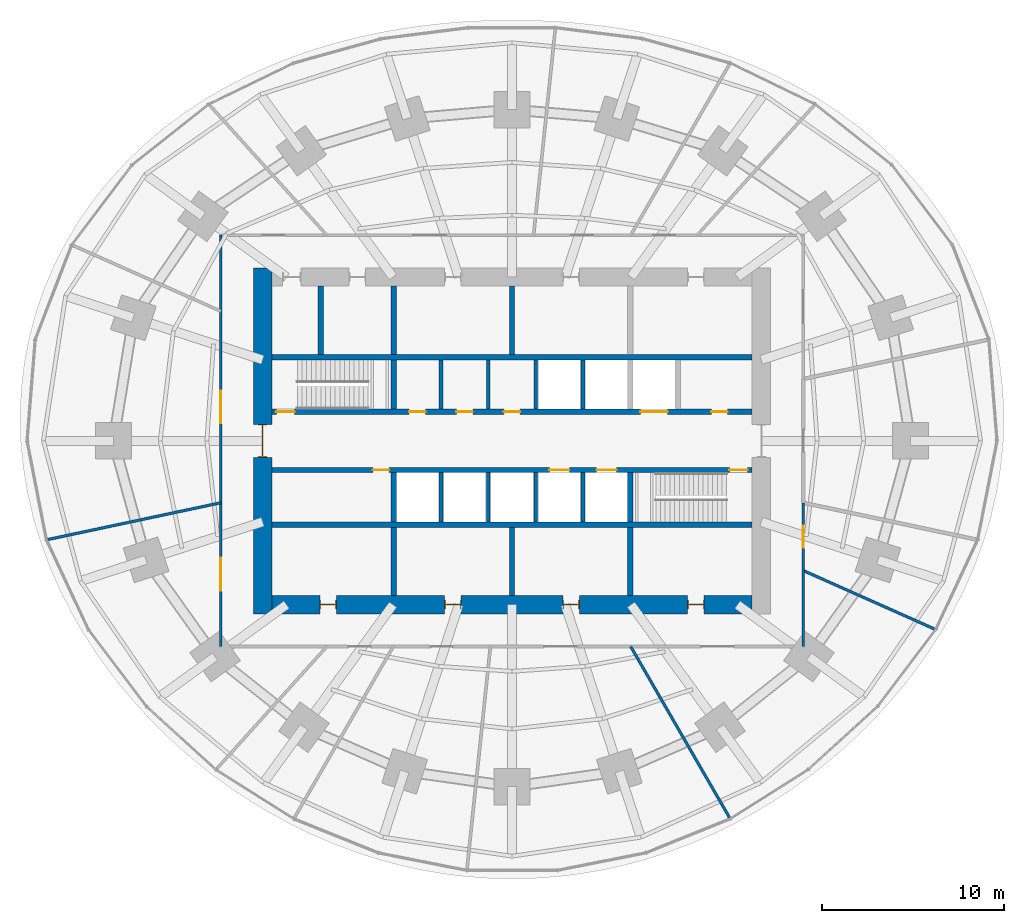
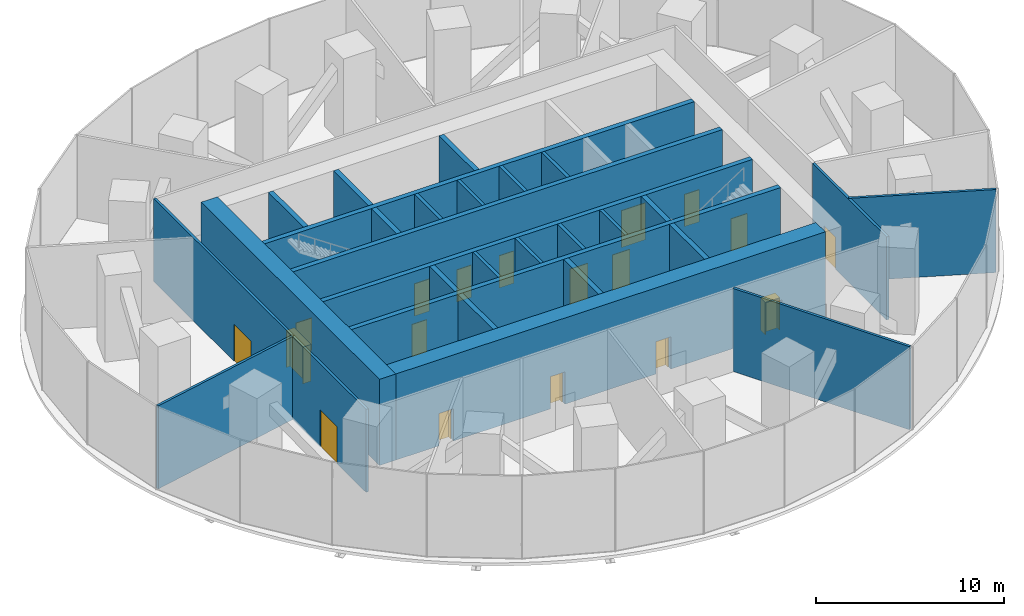
# One storey, part 11 of 13: 28 walls, 18 doors, 18 openings.
"""IFC4 building model written with IfcOpenShell, lengths in metres."""

from ifc_helpers import new_model, si_unit, direction, frame, frame_2d, origin, place, context, subcontext, project, spatial, rectangle, extrude, material, layer, layer_set, type_object, element, fill, save


model = new_model("IFC4")

# Units and contexts
model_context = context("Model", 3, precision=1e-05, world=origin(), true_north=direction((0.0, 1.0)))
body_context = subcontext(model_context, "Body", "Model", "MODEL_VIEW")
ifc_project = project(units=[si_unit("LENGTHUNIT", "METRE"), si_unit("AREAUNIT", "SQUARE_METRE"), si_unit("VOLUMEUNIT", "CUBIC_METRE"), si_unit("PLANEANGLEUNIT", "RADIAN"), si_unit("MASSUNIT", "GRAM", prefix="KILO")], contexts=[model_context])

# Site, building, storey
site_placement = place(None, origin())
site = spatial("IfcSite", under=ifc_project, at=site_placement, CompositionType="ELEMENT")
building_placement = place(site_placement, origin())
building = spatial("IfcBuilding", under=site, at=building_placement, Name="Marramba Exchange Tower", CompositionType="ELEMENT")
storey_placement = place(building_placement, frame((0.0, 0.0, 86.800048828125)))
storey = spatial("IfcBuildingStorey", under=building, at=storey_placement, Name="L20", CompositionType="ELEMENT", Elevation=86.800048828125)

# Walls
ifc_material_1 = material(Name="Concrete N50", Category="concrete")
ifc_layer_1 = layer(ifc_material_1, 0.199951171875)
ifc_layer_set_1 = layer_set([ifc_layer_1], Name="Core shaft wall 200")
wall_type_1 = type_object("IfcWallType", Name="Core shaft wall 200", PredefinedType="SHEAR", material=ifc_layer_set_1)
for number, where, z_axis, x_axis, name in (
    (1, (-3.89990234375, 1.75, 0.0), (0.0, 0.0, 1.0), (0.0, 1.0, 0.0), "Core wall SHN1 L20"),
    (2, (-1.300048828125, 1.75, 0.0), (0.0, 0.0, 1.0), (0.0, 1.0, 0.0), "Core wall SHN2 L20"),
    (3, (1.300048828125, 1.75, 0.0), (0.0, 0.0, 1.0), (0.0, 1.0, 0.0), "Core wall SHN3 L20"),
    (4, (3.89990234375, 1.75, 0.0), (0.0, 0.0, 1.0), (0.0, 1.0, 0.0), "Core wall SHN4 L20"),
    (5, (-3.89990234375, -1.75, 0.0), (0.0, 0.0, 1.0), (0.0, -1.0, 0.0), "Core wall SHS1 L20"),
    (6, (-1.300048828125, -1.75, 0.0), (0.0, 0.0, 1.0), (0.0, -1.0, 0.0), "Core wall SHS2 L20"),
    (7, (1.300048828125, -1.75, 0.0), (0.0, 0.0, 1.0), (0.0, -1.0, 0.0), "Core wall SHS3 L20"),
    (8, (3.89990234375, -1.75, 0.0), (0.0, 0.0, 1.0), (0.0, -1.0, 0.0), "Core wall SHS4 L20"),
):
    element("IfcWall", number, at=place(storey_placement, frame(where, z_axis=z_axis, x_axis=x_axis)), inside=storey, type_object=wall_type_1, Name=name, PredefinedType="SHEAR", context=body_context, shape_type="SweptSolid", body=[
        extrude(rectangle(XDim=2.699951171875, YDim=0.199951171875, at=frame_2d((1.35009765625, 0.0))), origin(), (0.0, 0.0, 1.0), 5.599853515625),
    ])

# Wall, openings, doors
ifc_layer_2 = layer(ifc_material_1, 1.0)
ifc_layer_set_2 = layer_set([ifc_layer_2], Name="Core wall 1000")
wall_type_2 = type_object("IfcWallType", Name="Core wall 1000", PredefinedType="SHEAR", material=ifc_layer_set_2)
wall_1_placement = place(storey_placement, frame((-13.199951171875, -9.0, 0.0), z_axis=(0.0, 0.0, 1.0), x_axis=(1.0, 0.0, 0.0)))
wall_1 = element("IfcWall", 9, at=wall_1_placement, inside=storey, type_object=wall_type_2, Name="Core wall S L20", PredefinedType="SHEAR", context=body_context, shape_type="SweptSolid", body=[
    extrude(rectangle(XDim=26.39990234375, YDim=1.0, at=frame_2d((13.199951171875, 0.0))), origin(), (0.0, 0.0, 1.0), 5.599853515625),
])
opening_1_placement = place(wall_1_placement, frame((2.64990234375, 0.0, 0.0)))
opening_1 = element("IfcOpeningElement", 10, at=opening_1_placement, cuts=wall_1, Name="Opening D5", PredefinedType="OPENING", context=body_context, shape_type="SweptSolid", body=[
    extrude(rectangle(XDim=0.89990234375, YDim=2.10009765625, at=frame_2d((0.449951171875, 1.050048828125))), frame((0.0, 0.510009765625, 0.0), z_axis=(0.0, -1.0, 0.0), x_axis=(1.0, 0.0, 0.0)), (0.0, 0.0, 1.0), 1.02001953125),
])
opening_2_placement = place(wall_1_placement, frame((9.5, 0.0, 0.0)))
opening_2 = element("IfcOpeningElement", 11, at=opening_2_placement, cuts=wall_1, Name="Opening D5", PredefinedType="OPENING", context=body_context, shape_type="SweptSolid", body=[
    extrude(rectangle(XDim=0.89990234375, YDim=2.10009765625, at=frame_2d((0.449951171875, 1.050048828125))), frame((0.0, 0.510009765625, 0.0), z_axis=(0.0, -1.0, 0.0), x_axis=(1.0, 0.0, 0.0)), (0.0, 0.0, 1.0), 1.02001953125),
])
opening_3_placement = place(wall_1_placement, frame((16.0, 0.0, 0.0)))
opening_3 = element("IfcOpeningElement", 12, at=opening_3_placement, cuts=wall_1, Name="Opening D5", PredefinedType="OPENING", context=body_context, shape_type="SweptSolid", body=[
    extrude(rectangle(XDim=0.89990234375, YDim=2.10009765625, at=frame_2d((0.449951171875, 1.050048828125))), frame((0.0, 0.510009765625, 0.0), z_axis=(0.0, -1.0, 0.0), x_axis=(1.0, 0.0, 0.0)), (0.0, 0.0, 1.0), 1.02001953125),
])
opening_4_placement = place(wall_1_placement, frame((22.85009765625, 0.0, 0.0)))
opening_4 = element("IfcOpeningElement", 13, at=opening_4_placement, cuts=wall_1, Name="Opening D5", PredefinedType="OPENING", context=body_context, shape_type="SweptSolid", body=[
    extrude(rectangle(XDim=0.89990234375, YDim=2.10009765625, at=frame_2d((0.449951171875, 1.050048828125))), frame((0.0, 0.510009765625, 0.0), z_axis=(0.0, -1.0, 0.0), x_axis=(1.0, 0.0, 0.0)), (0.0, 0.0, 1.0), 1.02001953125),
])
ifc_material_2 = material(Name="Steel-framed door", Category="steel")
door_type_1 = type_object("IfcDoorType", Name="Service door 900x2100", OperationType="SINGLE_SWING_LEFT", PredefinedType="DOOR", material=ifc_material_2)
door_1_placement = place(opening_1_placement, origin())
door_1 = element("IfcDoor", 14, at=door_1_placement, inside=storey, type_object=door_type_1, Name="D5 ahu L20", OperationType="SINGLE_SWING_LEFT", OverallHeight=2.10009765625, OverallWidth=0.89990234375, PredefinedType="DOOR", context=body_context, shape_type="SweptSolid", body=[
    extrude(rectangle(XDim=0.81982421875, YDim=2.06005859375, at=frame_2d((0.449951171875, 1.030029296875))), frame((0.0, 0.02490234375, 0.0), z_axis=(0.0, -1.0, 0.0), x_axis=(1.0, 0.0, 0.0)), (0.0, 0.0, 1.0), 0.050048828125),
    extrude(rectangle(XDim=0.04, YDim=2.10009765625, at=frame_2d((0.02001953125, 1.050048828125))), frame((0.0, 0.25, 0.0), z_axis=(0.0, -1.0, 0.0), x_axis=(1.0, 0.0, 0.0)), (0.0, 0.0, 1.0), 0.5),
    extrude(rectangle(XDim=0.04, YDim=2.10009765625, at=frame_2d((0.8798828125, 1.050048828125))), frame((0.0, 0.25, 0.0), z_axis=(0.0, -1.0, 0.0), x_axis=(1.0, 0.0, 0.0)), (0.0, 0.0, 1.0), 0.5),
    extrude(rectangle(XDim=0.81982421875, YDim=0.04, at=frame_2d((0.449951171875, 2.080078125))), frame((0.0, 0.25, 0.0), z_axis=(0.0, -1.0, 0.0), x_axis=(1.0, 0.0, 0.0)), (0.0, 0.0, 1.0), 0.5),
])
fill(opening_1, door_1)
door_2_placement = place(opening_2_placement, origin())
door_2 = element("IfcDoor", 15, at=door_2_placement, inside=storey, type_object=door_type_1, Name="D5 store L20", OperationType="SINGLE_SWING_RIGHT", OverallHeight=2.10009765625, OverallWidth=0.89990234375, PredefinedType="DOOR", context=body_context, shape_type="SweptSolid", body=[
    extrude(rectangle(XDim=0.81982421875, YDim=2.06005859375, at=frame_2d((0.449951171875, 1.030029296875))), frame((0.0, 0.02490234375, 0.0), z_axis=(0.0, -1.0, 0.0), x_axis=(1.0, 0.0, 0.0)), (0.0, 0.0, 1.0), 0.050048828125),
    extrude(rectangle(XDim=0.04, YDim=2.10009765625, at=frame_2d((0.02001953125, 1.050048828125))), frame((0.0, 0.25, 0.0), z_axis=(0.0, -1.0, 0.0), x_axis=(1.0, 0.0, 0.0)), (0.0, 0.0, 1.0), 0.5),
    extrude(rectangle(XDim=0.04, YDim=2.10009765625, at=frame_2d((0.8798828125, 1.050048828125))), frame((0.0, 0.25, 0.0), z_axis=(0.0, -1.0, 0.0), x_axis=(1.0, 0.0, 0.0)), (0.0, 0.0, 1.0), 0.5),
    extrude(rectangle(XDim=0.81982421875, YDim=0.04, at=frame_2d((0.449951171875, 2.080078125))), frame((0.0, 0.25, 0.0), z_axis=(0.0, -1.0, 0.0), x_axis=(1.0, 0.0, 0.0)), (0.0, 0.0, 1.0), 0.5),
])
fill(opening_2, door_2)
door_3_placement = place(opening_3_placement, origin())
door_3 = element("IfcDoor", 16, at=door_3_placement, inside=storey, type_object=door_type_1, Name="D5 switch L20", OperationType="SINGLE_SWING_RIGHT", OverallHeight=2.10009765625, OverallWidth=0.89990234375, PredefinedType="DOOR", context=body_context, shape_type="SweptSolid", body=[
    extrude(rectangle(XDim=0.81982421875, YDim=2.06005859375, at=frame_2d((0.449951171875, 1.030029296875))), frame((0.0, 0.02490234375, 0.0), z_axis=(0.0, -1.0, 0.0), x_axis=(1.0, 0.0, 0.0)), (0.0, 0.0, 1.0), 0.050048828125),
    extrude(rectangle(XDim=0.04, YDim=2.10009765625, at=frame_2d((0.02001953125, 1.050048828125))), frame((0.0, 0.25, 0.0), z_axis=(0.0, -1.0, 0.0), x_axis=(1.0, 0.0, 0.0)), (0.0, 0.0, 1.0), 0.5),
    extrude(rectangle(XDim=0.04, YDim=2.10009765625, at=frame_2d((0.8798828125, 1.050048828125))), frame((0.0, 0.25, 0.0), z_axis=(0.0, -1.0, 0.0), x_axis=(1.0, 0.0, 0.0)), (0.0, 0.0, 1.0), 0.5),
    extrude(rectangle(XDim=0.81982421875, YDim=0.04, at=frame_2d((0.449951171875, 2.080078125))), frame((0.0, 0.25, 0.0), z_axis=(0.0, -1.0, 0.0), x_axis=(1.0, 0.0, 0.0)), (0.0, 0.0, 1.0), 0.5),
])
fill(opening_3, door_3)
door_4_placement = place(opening_4_placement, origin())
door_4 = element("IfcDoor", 17, at=door_4_placement, inside=storey, type_object=door_type_1, Name="D5 cstore L20", OperationType="SINGLE_SWING_RIGHT", OverallHeight=2.10009765625, OverallWidth=0.89990234375, PredefinedType="DOOR", context=body_context, shape_type="SweptSolid", body=[
    extrude(rectangle(XDim=0.81982421875, YDim=2.06005859375, at=frame_2d((0.449951171875, 1.030029296875))), frame((0.0, 0.02490234375, 0.0), z_axis=(0.0, -1.0, 0.0), x_axis=(1.0, 0.0, 0.0)), (0.0, 0.0, 1.0), 0.050048828125),
    extrude(rectangle(XDim=0.04, YDim=2.10009765625, at=frame_2d((0.02001953125, 1.050048828125))), frame((0.0, 0.25, 0.0), z_axis=(0.0, -1.0, 0.0), x_axis=(1.0, 0.0, 0.0)), (0.0, 0.0, 1.0), 0.5),
    extrude(rectangle(XDim=0.04, YDim=2.10009765625, at=frame_2d((0.8798828125, 1.050048828125))), frame((0.0, 0.25, 0.0), z_axis=(0.0, -1.0, 0.0), x_axis=(1.0, 0.0, 0.0)), (0.0, 0.0, 1.0), 0.5),
    extrude(rectangle(XDim=0.81982421875, YDim=0.04, at=frame_2d((0.449951171875, 2.080078125))), frame((0.0, 0.25, 0.0), z_axis=(0.0, -1.0, 0.0), x_axis=(1.0, 0.0, 0.0)), (0.0, 0.0, 1.0), 0.5),
])
fill(opening_4, door_4)

# Wall, opening, door
wall_2_placement = place(storey_placement, frame((-13.699951171875, 9.5, 0.0), z_axis=(0.0, 0.0, 1.0), x_axis=(0.0, -1.0, 0.0)))
wall_2 = element("IfcWall", 18, at=wall_2_placement, inside=storey, type_object=wall_type_2, Name="Core wall W L20", PredefinedType="SHEAR", context=body_context, shape_type="SweptSolid", body=[
    extrude(rectangle(XDim=19.0, YDim=1.0, at=frame_2d((9.5, 0.0))), origin(), (0.0, 0.0, 1.0), 5.599853515625),
])
opening_5_placement = place(wall_2_placement, frame((8.60009765625, 0.0, 0.0)))
opening_5 = element("IfcOpeningElement", 19, at=opening_5_placement, cuts=wall_2, Name="Opening D1", PredefinedType="OPENING", context=body_context, shape_type="SweptSolid", body=[
    extrude(rectangle(XDim=1.800048828125, YDim=2.39990234375, at=frame_2d((0.89990234375, 1.199951171875))), frame((0.0, 0.510009765625, 0.0), z_axis=(0.0, -1.0, 0.0), x_axis=(1.0, 0.0, 0.0)), (0.0, 0.0, 1.0), 1.02001953125),
])
door_type_2 = type_object("IfcDoorType", Name="Lobby exit door 1800x2400", OperationType="DOUBLE_DOOR_SINGLE_SWING", PredefinedType="DOOR", material=ifc_material_2)
door_5_placement = place(opening_5_placement, origin())
door_5 = element("IfcDoor", 20, at=door_5_placement, inside=storey, type_object=door_type_2, Name="D1 lobby exit west L20", OperationType="DOUBLE_DOOR_SINGLE_SWING", OverallHeight=2.39990234375, OverallWidth=1.800048828125, PredefinedType="DOOR", context=body_context, shape_type="SweptSolid", body=[
    extrude(rectangle(XDim=1.719970703125, YDim=2.35986328125, at=frame_2d((0.89990234375, 1.179931640625))), frame((0.0, 0.02490234375, 0.0), z_axis=(0.0, -1.0, 0.0), x_axis=(1.0, 0.0, 0.0)), (0.0, 0.0, 1.0), 0.050048828125),
    extrude(rectangle(XDim=0.04, YDim=2.39990234375, at=frame_2d((0.02001953125, 1.199951171875))), frame((0.0, 0.25, 0.0), z_axis=(0.0, -1.0, 0.0), x_axis=(1.0, 0.0, 0.0)), (0.0, 0.0, 1.0), 0.5),
    extrude(rectangle(XDim=0.04, YDim=2.39990234375, at=frame_2d((1.780029296875, 1.199951171875))), frame((0.0, 0.25, 0.0), z_axis=(0.0, -1.0, 0.0), x_axis=(1.0, 0.0, 0.0)), (0.0, 0.0, 1.0), 0.5),
    extrude(rectangle(XDim=1.719970703125, YDim=0.04, at=frame_2d((0.89990234375, 2.3798828125))), frame((0.0, 0.25, 0.0), z_axis=(0.0, -1.0, 0.0), x_axis=(1.0, 0.0, 0.0)), (0.0, 0.0, 1.0), 0.5),
])
fill(opening_5, door_5)

# Wall, openings, doors
ifc_layer_3 = layer(ifc_material_1, 0.300048828125)
ifc_layer_set_3 = layer_set([ifc_layer_3], Name="Core wall 300")
wall_type_3 = type_object("IfcWallType", Name="Core wall 300", PredefinedType="SHEAR", material=ifc_layer_set_3)
wall_3_placement = place(storey_placement, frame((-13.199951171875, 1.60009765625, 0.0), z_axis=(0.0, 0.0, 1.0), x_axis=(1.0, 0.0, 0.0)))
wall_3 = element("IfcWall", 21, at=wall_3_placement, inside=storey, type_object=wall_type_3, Name="Core wall LN L20", PredefinedType="SHEAR", context=body_context, shape_type="SweptSolid", body=[
    extrude(rectangle(XDim=26.39990234375, YDim=0.300048828125, at=frame_2d((13.199951171875, 0.0))), origin(), (0.0, 0.0, 1.0), 5.599853515625),
])
opening_6_placement = place(wall_3_placement, frame((0.25, 0.0, 0.0)))
opening_6 = element("IfcOpeningElement", 22, at=opening_6_placement, cuts=wall_3, Name="Opening D2", PredefinedType="OPENING", context=body_context, shape_type="SweptSolid", body=[
    extrude(rectangle(XDim=1.0, YDim=2.10009765625, at=frame_2d((0.5, 1.050048828125))), frame((0.0, 0.159912109375, 0.0), z_axis=(0.0, -1.0, 0.0), x_axis=(1.0, 0.0, 0.0)), (0.0, 0.0, 1.0), 0.320068359375),
])
opening_7_placement = place(wall_3_placement, frame((20.25, 0.0, 0.0)))
opening_7 = element("IfcOpeningElement", 23, at=opening_7_placement, cuts=wall_3, Name="Opening LD3", PredefinedType="OPENING", context=body_context, shape_type="SweptSolid", body=[
    extrude(rectangle(XDim=1.5, YDim=2.39990234375, at=frame_2d((0.75, 1.199951171875))), frame((0.0, 0.159912109375, 0.0), z_axis=(0.0, -1.0, 0.0), x_axis=(1.0, 0.0, 0.0)), (0.0, 0.0, 1.0), 0.320068359375),
])
opening_8_placement = place(wall_3_placement, frame((7.550048828125, 0.0, 0.0)))
opening_8 = element("IfcOpeningElement", 24, at=opening_8_placement, cuts=wall_3, Name="Opening D5", PredefinedType="OPENING", context=body_context, shape_type="SweptSolid", body=[
    extrude(rectangle(XDim=0.89990234375, YDim=2.10009765625, at=frame_2d((0.449951171875, 1.050048828125))), frame((0.0, 0.159912109375, 0.0), z_axis=(0.0, -1.0, 0.0), x_axis=(1.0, 0.0, 0.0)), (0.0, 0.0, 1.0), 0.320068359375),
])
opening_9_placement = place(wall_3_placement, frame((10.14990234375, 0.0, 0.0)))
opening_9 = element("IfcOpeningElement", 25, at=opening_9_placement, cuts=wall_3, Name="Opening D5", PredefinedType="OPENING", context=body_context, shape_type="SweptSolid", body=[
    extrude(rectangle(XDim=0.89990234375, YDim=2.10009765625, at=frame_2d((0.449951171875, 1.050048828125))), frame((0.0, 0.159912109375, 0.0), z_axis=(0.0, -1.0, 0.0), x_axis=(1.0, 0.0, 0.0)), (0.0, 0.0, 1.0), 0.320068359375),
])
opening_10_placement = place(wall_3_placement, frame((12.75, 0.0, 0.0)))
opening_10 = element("IfcOpeningElement", 26, at=opening_10_placement, cuts=wall_3, Name="Opening D5", PredefinedType="OPENING", context=body_context, shape_type="SweptSolid", body=[
    extrude(rectangle(XDim=0.89990234375, YDim=2.10009765625, at=frame_2d((0.449951171875, 1.050048828125))), frame((0.0, 0.159912109375, 0.0), z_axis=(0.0, -1.0, 0.0), x_axis=(1.0, 0.0, 0.0)), (0.0, 0.0, 1.0), 0.320068359375),
])
opening_11_placement = place(wall_3_placement, frame((24.14990234375, 0.0, 0.0)))
opening_11 = element("IfcOpeningElement", 27, at=opening_11_placement, cuts=wall_3, Name="Opening D5", PredefinedType="OPENING", context=body_context, shape_type="SweptSolid", body=[
    extrude(rectangle(XDim=0.89990234375, YDim=2.10009765625, at=frame_2d((0.449951171875, 1.050048828125))), frame((0.0, 0.159912109375, 0.0), z_axis=(0.0, -1.0, 0.0), x_axis=(1.0, 0.0, 0.0)), (0.0, 0.0, 1.0), 0.320068359375),
])
door_type_3 = type_object("IfcDoorType", Name="Goods lift landing door 1500x2400", OperationType="SLIDING_TO_LEFT", PredefinedType="DOOR", material=ifc_material_2)
door_6_placement = place(opening_7_placement, origin())
door_6 = element("IfcDoor", 28, at=door_6_placement, inside=storey, type_object=door_type_3, Name="GL1 landing door L20", OperationType="SLIDING_TO_LEFT", OverallHeight=2.39990234375, OverallWidth=1.5, PredefinedType="DOOR", context=body_context, shape_type="SweptSolid", body=[
    extrude(rectangle(XDim=1.5, YDim=2.39990234375, at=frame_2d((0.75, 1.199951171875))), frame((0.0, 0.02490234375, 0.0), z_axis=(0.0, -1.0, 0.0), x_axis=(1.0, 0.0, 0.0)), (0.0, 0.0, 1.0), 0.050048828125),
])
fill(opening_7, door_6)
door_7_placement = place(opening_8_placement, origin())
door_7 = element("IfcDoor", 29, at=door_7_placement, inside=storey, type_object=door_type_1, Name="D5 store n1 L20", OperationType="SINGLE_SWING_RIGHT", OverallHeight=2.10009765625, OverallWidth=0.89990234375, PredefinedType="DOOR", context=body_context, shape_type="SweptSolid", body=[
    extrude(rectangle(XDim=0.89990234375, YDim=2.10009765625, at=frame_2d((0.449951171875, 1.050048828125))), frame((0.0, 0.02490234375, 0.0), z_axis=(0.0, -1.0, 0.0), x_axis=(1.0, 0.0, 0.0)), (0.0, 0.0, 1.0), 0.050048828125),
])
fill(opening_8, door_7)
door_8_placement = place(opening_9_placement, origin())
door_8 = element("IfcDoor", 30, at=door_8_placement, inside=storey, type_object=door_type_1, Name="D5 store n2 L20", OperationType="SINGLE_SWING_RIGHT", OverallHeight=2.10009765625, OverallWidth=0.89990234375, PredefinedType="DOOR", context=body_context, shape_type="SweptSolid", body=[
    extrude(rectangle(XDim=0.89990234375, YDim=2.10009765625, at=frame_2d((0.449951171875, 1.050048828125))), frame((0.0, 0.02490234375, 0.0), z_axis=(0.0, -1.0, 0.0), x_axis=(1.0, 0.0, 0.0)), (0.0, 0.0, 1.0), 0.050048828125),
])
fill(opening_9, door_8)
door_9_placement = place(opening_10_placement, origin())
door_9 = element("IfcDoor", 31, at=door_9_placement, inside=storey, type_object=door_type_1, Name="D5 store n3 L20", OperationType="SINGLE_SWING_RIGHT", OverallHeight=2.10009765625, OverallWidth=0.89990234375, PredefinedType="DOOR", context=body_context, shape_type="SweptSolid", body=[
    extrude(rectangle(XDim=0.89990234375, YDim=2.10009765625, at=frame_2d((0.449951171875, 1.050048828125))), frame((0.0, 0.02490234375, 0.0), z_axis=(0.0, -1.0, 0.0), x_axis=(1.0, 0.0, 0.0)), (0.0, 0.0, 1.0), 0.050048828125),
])
fill(opening_10, door_9)
door_10_placement = place(opening_11_placement, origin())
door_10 = element("IfcDoor", 32, at=door_10_placement, inside=storey, type_object=door_type_1, Name="D5 riser L20", OperationType="SINGLE_SWING_RIGHT", OverallHeight=2.10009765625, OverallWidth=0.89990234375, PredefinedType="DOOR", context=body_context, shape_type="SweptSolid", body=[
    extrude(rectangle(XDim=0.89990234375, YDim=2.10009765625, at=frame_2d((0.449951171875, 1.050048828125))), frame((0.0, 0.02490234375, 0.0), z_axis=(0.0, -1.0, 0.0), x_axis=(1.0, 0.0, 0.0)), (0.0, 0.0, 1.0), 0.050048828125),
])
fill(opening_11, door_10)
door_type_4 = type_object("IfcDoorType", Name="Stair door 1000x2100", OperationType="SINGLE_SWING_LEFT", PredefinedType="DOOR", material=ifc_material_2)
door_11_placement = place(opening_6_placement, origin())
door_11 = element("IfcDoor", 33, at=door_11_placement, inside=storey, type_object=door_type_4, Name="D2 stair ST1 L20", OperationType="SINGLE_SWING_LEFT", OverallHeight=2.10009765625, OverallWidth=1.0, PredefinedType="DOOR", context=body_context, shape_type="SweptSolid", body=[
    extrude(rectangle(XDim=1.0, YDim=2.10009765625, at=frame_2d((0.5, 1.050048828125))), frame((0.0, 0.02490234375, 0.0), z_axis=(0.0, -1.0, 0.0), x_axis=(1.0, 0.0, 0.0)), (0.0, 0.0, 1.0), 0.050048828125),
])
fill(opening_6, door_11)

wall_4_placement = place(storey_placement, frame((-13.199951171875, -1.60009765625, 0.0), z_axis=(0.0, 0.0, 1.0), x_axis=(1.0, 0.0, 0.0)))
wall_4 = element("IfcWall", 34, at=wall_4_placement, inside=storey, type_object=wall_type_3, Name="Core wall LS L20", PredefinedType="SHEAR", context=body_context, shape_type="SweptSolid", body=[
    extrude(rectangle(XDim=26.39990234375, YDim=0.300048828125, at=frame_2d((13.199951171875, 0.0))), origin(), (0.0, 0.0, 1.0), 5.599853515625),
])
opening_12_placement = place(wall_4_placement, frame((25.14990234375, 0.0, 0.0)))
opening_12 = element("IfcOpeningElement", 35, at=opening_12_placement, cuts=wall_4, Name="Opening D2", PredefinedType="OPENING", context=body_context, shape_type="SweptSolid", body=[
    extrude(rectangle(XDim=1.0, YDim=2.10009765625, at=frame_2d((0.5, 1.050048828125))), frame((0.0, 0.159912109375, 0.0), z_axis=(0.0, -1.0, 0.0), x_axis=(1.0, 0.0, 0.0)), (0.0, 0.0, 1.0), 0.320068359375),
])
opening_13_placement = place(wall_4_placement, frame((15.25, 0.0, 0.0)))
opening_13 = element("IfcOpeningElement", 36, at=opening_13_placement, cuts=wall_4, Name="Opening LD2", PredefinedType="OPENING", context=body_context, shape_type="SweptSolid", body=[
    extrude(rectangle(XDim=1.10009765625, YDim=2.300048828125, at=frame_2d((0.550048828125, 1.14990234375))), frame((0.0, 0.159912109375, 0.0), z_axis=(0.0, -1.0, 0.0), x_axis=(1.0, 0.0, 0.0)), (0.0, 0.0, 1.0), 0.320068359375),
])
opening_14_placement = place(wall_4_placement, frame((17.85009765625, 0.0, 0.0)))
opening_14 = element("IfcOpeningElement", 37, at=opening_14_placement, cuts=wall_4, Name="Opening LD2", PredefinedType="OPENING", context=body_context, shape_type="SweptSolid", body=[
    extrude(rectangle(XDim=1.10009765625, YDim=2.300048828125, at=frame_2d((0.550048828125, 1.14990234375))), frame((0.0, 0.159912109375, 0.0), z_axis=(0.0, -1.0, 0.0), x_axis=(1.0, 0.0, 0.0)), (0.0, 0.0, 1.0), 0.320068359375),
])
opening_15_placement = place(wall_4_placement, frame((5.550048828125, 0.0, 0.0)))
opening_15 = element("IfcOpeningElement", 38, at=opening_15_placement, cuts=wall_4, Name="Opening D5", PredefinedType="OPENING", context=body_context, shape_type="SweptSolid", body=[
    extrude(rectangle(XDim=0.89990234375, YDim=2.10009765625, at=frame_2d((0.449951171875, 1.050048828125))), frame((0.0, 0.159912109375, 0.0), z_axis=(0.0, -1.0, 0.0), x_axis=(1.0, 0.0, 0.0)), (0.0, 0.0, 1.0), 0.320068359375),
])
door_type_5 = type_object("IfcDoorType", Name="Emergency lift landing door 1100x2300", OperationType="SLIDING_TO_LEFT", PredefinedType="DOOR", material=ifc_material_2)
door_12_placement = place(opening_13_placement, frame((1.10009765625, 0.0, 0.0), z_axis=(0.0, 0.0, 1.0), x_axis=(-1.0, 0.0, 0.0)))
door_12 = element("IfcDoor", 39, at=door_12_placement, inside=storey, type_object=door_type_5, Name="FL1 landing door L20", OperationType="SLIDING_TO_RIGHT", OverallHeight=2.300048828125, OverallWidth=1.10009765625, PredefinedType="DOOR", context=body_context, shape_type="SweptSolid", body=[
    extrude(rectangle(XDim=1.10009765625, YDim=2.300048828125, at=frame_2d((0.550048828125, 1.14990234375))), frame((0.0, 0.025146484375, 0.0), z_axis=(0.0, -1.0, 0.0), x_axis=(1.0, 0.0, 0.0)), (0.0, 0.0, 1.0), 0.050048828125),
])
fill(opening_13, door_12)
door_13_placement = place(opening_14_placement, frame((1.10009765625, 0.0, 0.0), z_axis=(0.0, 0.0, 1.0), x_axis=(-1.0, 0.0, 0.0)))
door_13 = element("IfcDoor", 40, at=door_13_placement, inside=storey, type_object=door_type_5, Name="FL2 landing door L20", OperationType="SLIDING_TO_LEFT", OverallHeight=2.300048828125, OverallWidth=1.10009765625, PredefinedType="DOOR", context=body_context, shape_type="SweptSolid", body=[
    extrude(rectangle(XDim=1.10009765625, YDim=2.300048828125, at=frame_2d((0.550048828125, 1.14990234375))), frame((0.0, 0.025146484375, 0.0), z_axis=(0.0, -1.0, 0.0), x_axis=(1.0, 0.0, 0.0)), (0.0, 0.0, 1.0), 0.050048828125),
])
fill(opening_14, door_13)
door_14_placement = place(opening_15_placement, frame((0.89990234375, 0.0, 0.0), z_axis=(0.0, 0.0, 1.0), x_axis=(-1.0, 0.0, 0.0)))
door_14 = element("IfcDoor", 41, at=door_14_placement, inside=storey, type_object=door_type_1, Name="D5 electrical riser L20", OperationType="SINGLE_SWING_LEFT", OverallHeight=2.10009765625, OverallWidth=0.89990234375, PredefinedType="DOOR", context=body_context, shape_type="SweptSolid", body=[
    extrude(rectangle(XDim=0.89990234375, YDim=2.10009765625, at=frame_2d((0.449951171875, 1.050048828125))), frame((0.0, 0.025146484375, 0.0), z_axis=(0.0, -1.0, 0.0), x_axis=(1.0, 0.0, 0.0)), (0.0, 0.0, 1.0), 0.050048828125),
])
fill(opening_15, door_14)
door_15_placement = place(opening_12_placement, frame((1.0, 0.0, 0.0), z_axis=(0.0, 0.0, 1.0), x_axis=(-1.0, 0.0, 0.0)))
door_15 = element("IfcDoor", 42, at=door_15_placement, inside=storey, type_object=door_type_4, Name="D2 stair ST2 L20", OperationType="SINGLE_SWING_LEFT", OverallHeight=2.10009765625, OverallWidth=1.0, PredefinedType="DOOR", context=body_context, shape_type="SweptSolid", body=[
    extrude(rectangle(XDim=1.0, YDim=2.10009765625, at=frame_2d((0.5, 1.050048828125))), frame((0.0, 0.025146484375, 0.0), z_axis=(0.0, -1.0, 0.0), x_axis=(1.0, 0.0, 0.0)), (0.0, 0.0, 1.0), 0.050048828125),
])
fill(opening_12, door_15)

# Walls
for number, where, z_axis, x_axis, name in (
    (43, (-13.199951171875, 4.60009765625, 0.0), (0.0, 0.0, 1.0), (1.0, 0.0, 0.0), "Core wall BN L20"),
    (44, (-13.199951171875, -4.60009765625, 0.0), (0.0, 0.0, 1.0), (1.0, 0.0, 0.0), "Core wall BS L20"),
):
    element("IfcWall", number, at=place(storey_placement, frame(where, z_axis=z_axis, x_axis=x_axis)), inside=storey, type_object=wall_type_3, Name=name, PredefinedType="SHEAR", context=body_context, shape_type="SweptSolid", body=[
        extrude(rectangle(XDim=26.39990234375, YDim=0.300048828125, at=frame_2d((13.199951171875, 0.0))), origin(), (0.0, 0.0, 1.0), 5.599853515625),
    ])
wall_5_placement = place(storey_placement, frame((-6.5, 1.75, 0.0), z_axis=(0.0, 0.0, 1.0), x_axis=(0.0, 1.0, 0.0)))
element("IfcWall", 45, at=wall_5_placement, inside=storey, type_object=wall_type_3, Name="Core wall X0Na L20", PredefinedType="SHEAR", context=body_context, shape_type="SweptSolid", body=[
    extrude(rectangle(XDim=2.699951171875, YDim=0.300048828125, at=frame_2d((1.35009765625, 0.0))), origin(), (0.0, 0.0, 1.0), 5.599853515625),
])
for number, where, z_axis, x_axis, name in (
    (46, (-6.5, 4.75, 0.0), (0.0, 0.0, 1.0), (0.0, 1.0, 0.0), "Core wall X0Nb L20"),
    (47, (0.0, 4.75, 0.0), (0.0, 0.0, 1.0), (0.0, 1.0, 0.0), "Core wall MN L20"),
):
    element("IfcWall", number, at=place(storey_placement, frame(where, z_axis=z_axis, x_axis=x_axis)), inside=storey, type_object=wall_type_3, Name=name, PredefinedType="SHEAR", context=body_context, shape_type="SweptSolid", body=[
        extrude(rectangle(XDim=3.75, YDim=0.300048828125, at=frame_2d((1.875, 0.0))), origin(), (0.0, 0.0, 1.0), 5.599853515625),
    ])
wall_6_placement = place(storey_placement, frame((-6.5, -1.75, 0.0), z_axis=(0.0, 0.0, 1.0), x_axis=(0.0, -1.0, 0.0)))
element("IfcWall", 48, at=wall_6_placement, inside=storey, type_object=wall_type_3, Name="Core wall X0Sa L20", PredefinedType="SHEAR", context=body_context, shape_type="SweptSolid", body=[
    extrude(rectangle(XDim=2.699951171875, YDim=0.300048828125, at=frame_2d((1.35009765625, 0.0))), origin(), (0.0, 0.0, 1.0), 5.599853515625),
])
wall_7_placement = place(storey_placement, frame((-6.5, -4.75, 0.0), z_axis=(0.0, 0.0, 1.0), x_axis=(0.0, -1.0, 0.0)))
element("IfcWall", 49, at=wall_7_placement, inside=storey, type_object=wall_type_3, Name="Core wall X0Sb L20", PredefinedType="SHEAR", context=body_context, shape_type="SweptSolid", body=[
    extrude(rectangle(XDim=3.75, YDim=0.300048828125, at=frame_2d((1.875, 0.0))), origin(), (0.0, 0.0, 1.0), 5.599853515625),
])
wall_8_placement = place(storey_placement, frame((6.5, -1.75, 0.0), z_axis=(0.0, 0.0, 1.0), x_axis=(0.0, -1.0, 0.0)))
element("IfcWall", 50, at=wall_8_placement, inside=storey, type_object=wall_type_3, Name="Core wall X1Sa L20", PredefinedType="SHEAR", context=body_context, shape_type="SweptSolid", body=[
    extrude(rectangle(XDim=2.699951171875, YDim=0.300048828125, at=frame_2d((1.35009765625, 0.0))), origin(), (0.0, 0.0, 1.0), 5.599853515625),
])
for number, where, z_axis, x_axis, name in (
    (51, (6.5, -4.75, 0.0), (0.0, 0.0, 1.0), (0.0, -1.0, 0.0), "Core wall X1Sb L20"),
    (52, (0.0, -4.75, 0.0), (0.0, 0.0, 1.0), (0.0, -1.0, 0.0), "Core wall MS L20"),
    (53, (-10.5, 4.75, 0.0), (0.0, 0.0, 1.0), (0.0, 1.0, 0.0), "Core wall WD L20"),
):
    element("IfcWall", number, at=place(storey_placement, frame(where, z_axis=z_axis, x_axis=x_axis)), inside=storey, type_object=wall_type_3, Name=name, PredefinedType="SHEAR", context=body_context, shape_type="SweptSolid", body=[
        extrude(rectangle(XDim=3.75, YDim=0.300048828125, at=frame_2d((1.875, 0.0))), origin(), (0.0, 0.0, 1.0), 5.599853515625),
    ])
ifc_material_3 = material(Name="Fire-rated plasterboard on steel studs, acoustic insulation", Category="steel")
ifc_layer_4 = layer(ifc_material_3, 0.14990234375)
ifc_layer_set_4 = layer_set([ifc_layer_4], Name="Tenancy wall 150")
wall_type_4 = type_object("IfcWallType", Name="Tenancy wall 150", PredefinedType="PARTITIONING", material=ifc_layer_set_4)
wall_9_placement = place(storey_placement, frame((-16.0, -3.40087890625, 0.0), z_axis=(0.0, 0.0, 1.0), x_axis=(-0.978145186273, -0.207923049637, 0.0)))
element("IfcWall", 54, at=wall_9_placement, inside=storey, type_object=wall_type_4, Name="Tenancy wall L20 01", PredefinedType="PARTITIONING", context=body_context, shape_type="SweptSolid", body=[
    extrude(rectangle(XDim=9.71875, YDim=0.14990234375, at=frame_2d((4.859375, 0.0))), origin(), (0.0, 0.0, 1.0), 5.39990234375),
])
wall_10_placement = place(storey_placement, frame((6.524169921875, -11.300048828125, 0.0), z_axis=(0.0, 0.0, 1.0), x_axis=(0.499989292232, -0.866031585829, 0.0)))
element("IfcWall", 55, at=wall_10_placement, inside=storey, type_object=wall_type_4, Name="Tenancy wall L20 06", PredefinedType="PARTITIONING", context=body_context, shape_type="SweptSolid", body=[
    extrude(rectangle(XDim=10.850341796875, YDim=0.14990234375, at=frame_2d((5.42529296875, 0.0))), origin(), (0.0, 0.0, 1.0), 5.39990234375),
])

# Wall, opening, door
wall_11_placement = place(storey_placement, frame((16.0, -11.300048828125, 0.0), z_axis=(0.0, 0.0, 1.0), x_axis=(0.0, 1.0, 0.0)))
wall_11 = element("IfcWall", 56, at=wall_11_placement, inside=storey, type_object=wall_type_4, Name="Tenancy wall L20 07", PredefinedType="PARTITIONING", context=body_context, shape_type="SweptSolid", body=[
    extrude(rectangle(XDim=7.899169921875, YDim=0.14990234375, at=frame_2d((3.94970703125, 0.0))), origin(), (0.0, 0.0, 1.0), 5.39990234375),
])
opening_16_placement = place(wall_11_placement, frame((5.43798828125, 0.0, 0.0)))
opening_16 = element("IfcOpeningElement", 57, at=opening_16_placement, cuts=wall_11, Name="Opening D16", PredefinedType="OPENING", context=body_context, shape_type="SweptSolid", body=[
    extrude(rectangle(XDim=1.199951171875, YDim=2.10009765625, at=frame_2d((0.60009765625, 1.050048828125))), frame((0.0, 0.0849609375, 0.0), z_axis=(0.0, -1.0, 0.0), x_axis=(1.0, 0.0, 0.0)), (0.0, 0.0, 1.0), 0.169921875),
])
door_type_6 = type_object("IfcDoorType", Name="Equipment room door 1200x2100", OperationType="SINGLE_SWING_LEFT", PredefinedType="DOOR", material=ifc_material_2)
door_16_placement = place(opening_16_placement, frame((1.199951171875, 0.0, 0.0), z_axis=(0.0, 0.0, 1.0), x_axis=(-1.0, 0.0, 0.0)))
door_16 = element("IfcDoor", 58, at=door_16_placement, inside=storey, type_object=door_type_6, Name="D16 Outdoor Air Intake Plant Room 3 L20", OperationType="SINGLE_SWING_LEFT", OverallHeight=2.10009765625, OverallWidth=1.199951171875, PredefinedType="DOOR", context=body_context, shape_type="SweptSolid", body=[
    extrude(rectangle(XDim=1.199951171875, YDim=2.10009765625, at=frame_2d((0.599853515625, 1.050048828125))), frame((0.0, 0.025146484375, 0.0), z_axis=(0.0, -1.0, 0.0), x_axis=(1.0, 0.0, 0.0)), (0.0, 0.0, 1.0), 0.050048828125),
])
fill(opening_16, door_16)

# Wall
wall_12_placement = place(storey_placement, frame((16.0, -7.123779296875, 0.0), z_axis=(0.0, 0.0, 1.0), x_axis=(0.91354979121, -0.406726909584, 0.0)))
element("IfcWall", 59, at=wall_12_placement, inside=storey, type_object=wall_type_4, Name="Tenancy wall L20 08", PredefinedType="PARTITIONING", context=body_context, shape_type="SweptSolid", body=[
    extrude(rectangle(XDim=7.890380859375, YDim=0.14990234375, at=frame_2d((3.9453125, 0.0))), origin(), (0.0, 0.0, 1.0), 5.39990234375),
])

# Wall, openings, doors
wall_13_placement = place(storey_placement, frame((-16.0, 11.300048828125, 0.0), z_axis=(0.0, 0.0, 1.0), x_axis=(0.0, -1.0, 0.0)))
wall_13 = element("IfcWall", 60, at=wall_13_placement, inside=storey, type_object=wall_type_4, Name="Tenancy wall L20 19", PredefinedType="PARTITIONING", context=body_context, shape_type="SweptSolid", body=[
    extrude(rectangle(XDim=22.60009765625, YDim=0.14990234375, at=frame_2d((11.300048828125, 0.0))), origin(), (0.0, 0.0, 1.0), 5.39990234375),
])
opening_17_placement = place(wall_13_placement, frame((8.5390625, 0.0, 0.0)))
opening_17 = element("IfcOpeningElement", 61, at=opening_17_placement, cuts=wall_13, Name="Opening D18", PredefinedType="OPENING", context=body_context, shape_type="SweptSolid", body=[
    extrude(rectangle(XDim=1.800048828125, YDim=2.39990234375, at=frame_2d((0.89990234375, 1.199951171875))), frame((0.0, 0.0849609375, 0.0), z_axis=(0.0, -1.0, 0.0), x_axis=(1.0, 0.0, 0.0)), (0.0, 0.0, 1.0), 0.169921875),
])
opening_18_placement = place(wall_13_placement, frame((17.72509765625, 0.0, 0.0)))
opening_18 = element("IfcOpeningElement", 62, at=opening_18_placement, cuts=wall_13, Name="Opening D18", PredefinedType="OPENING", context=body_context, shape_type="SweptSolid", body=[
    extrude(rectangle(XDim=1.800048828125, YDim=2.39990234375, at=frame_2d((0.89990234375, 1.199951171875))), frame((0.0, 0.0849609375, 0.0), z_axis=(0.0, -1.0, 0.0), x_axis=(1.0, 0.0, 0.0)), (0.0, 0.0, 1.0), 0.169921875),
])
door_type_7 = type_object("IfcDoorType", Name="Door pair 1800x2400", OperationType="DOUBLE_DOOR_SINGLE_SWING", PredefinedType="DOOR", material=ifc_material_2)
door_17_placement = place(opening_17_placement, origin())
door_17 = element("IfcDoor", 63, at=door_17_placement, inside=storey, type_object=door_type_7, Name="D18 Electrical Switch Room L20", OperationType="DOUBLE_DOOR_SINGLE_SWING", OverallHeight=2.39990234375, OverallWidth=1.800048828125, PredefinedType="DOOR", context=body_context, shape_type="SweptSolid", body=[
    extrude(rectangle(XDim=1.800048828125, YDim=2.39990234375, at=frame_2d((0.89990234375, 1.199951171875))), frame((0.0, 0.02490234375, 0.0), z_axis=(0.0, -1.0, 0.0), x_axis=(1.0, 0.0, 0.0)), (0.0, 0.0, 1.0), 0.050048828125),
])
fill(opening_17, door_17)
door_18_placement = place(opening_18_placement, origin())
door_18 = element("IfcDoor", 64, at=door_18_placement, inside=storey, type_object=door_type_7, Name="D18 AHU Plant Room 2 L20", OperationType="DOUBLE_DOOR_SINGLE_SWING", OverallHeight=2.39990234375, OverallWidth=1.800048828125, PredefinedType="DOOR", context=body_context, shape_type="SweptSolid", body=[
    extrude(rectangle(XDim=1.800048828125, YDim=2.39990234375, at=frame_2d((0.89990234375, 1.199951171875))), frame((0.0, 0.02490234375, 0.0), z_axis=(0.0, -1.0, 0.0), x_axis=(1.0, 0.0, 0.0)), (0.0, 0.0, 1.0), 0.050048828125),
])
fill(opening_18, door_18)

save(model, "model.ifc")
